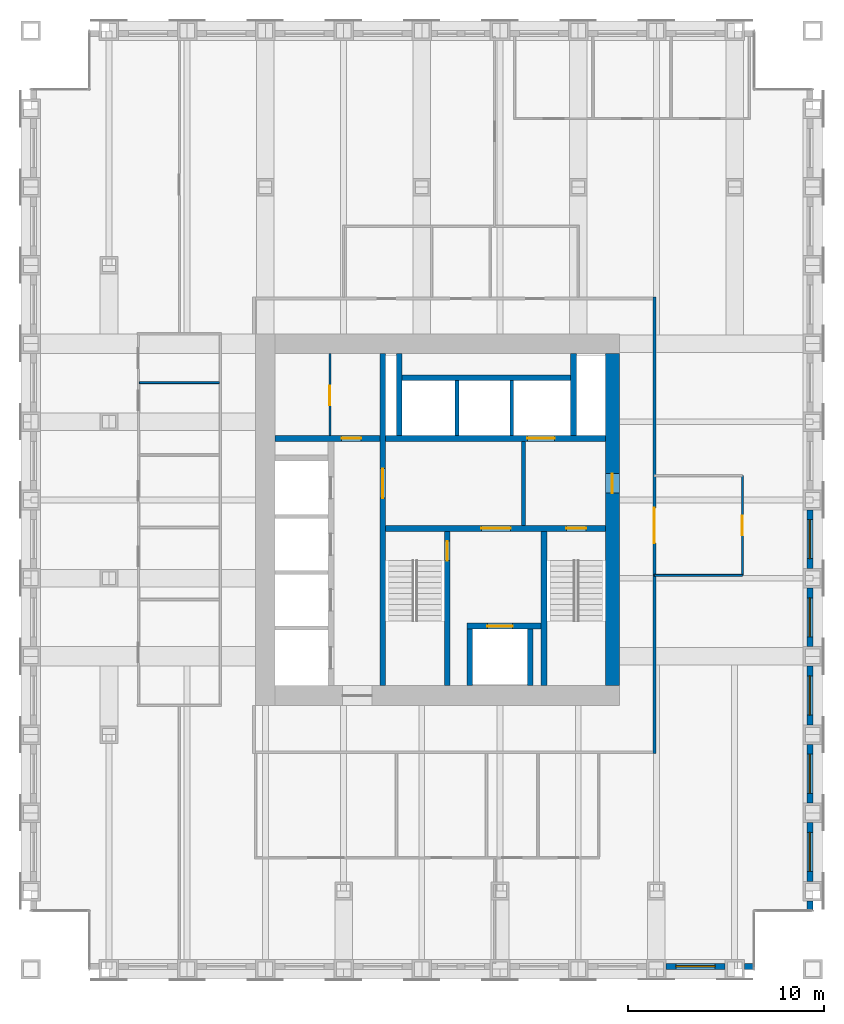
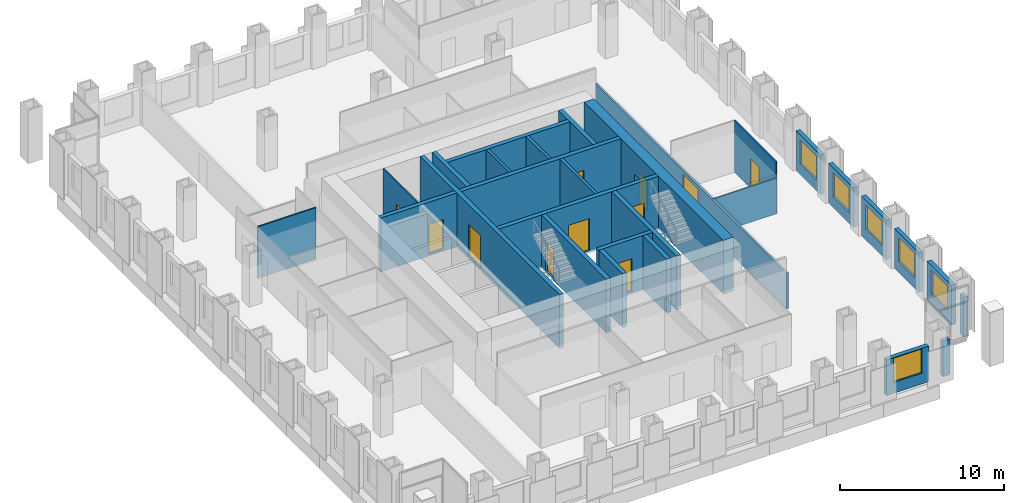
# One storey, part 9 of 12: 29 walls, 11 doors, 6 windows, 17 openings.
"""IFC4 building model written with IfcOpenShell, lengths in metres."""

from ifc_helpers import new_model, si_unit, direction, frame, frame_2d, origin, place, context, subcontext, project, spatial, rectangle, extrude, material, layer, layer_set, type_object, element, fill, save


model = new_model("IFC4")

# Units and contexts
model_context = context("Model", 3, precision=1e-05, world=origin(), true_north=direction((0.0, 1.0)))
body_context = subcontext(model_context, "Body", "Model", "MODEL_VIEW")
ifc_project = project(units=[si_unit("LENGTHUNIT", "METRE"), si_unit("AREAUNIT", "SQUARE_METRE"), si_unit("VOLUMEUNIT", "CUBIC_METRE"), si_unit("PLANEANGLEUNIT", "RADIAN"), si_unit("MASSUNIT", "GRAM", prefix="KILO")], contexts=[model_context])

# Site, building, storey
site_placement = place(None, origin())
site = spatial("IfcSite", under=ifc_project, at=site_placement, CompositionType="ELEMENT")
building_placement = place(site_placement, origin())
building = spatial("IfcBuilding", under=site, at=building_placement, Name="Rimbunsela Tower", CompositionType="ELEMENT")
storey_placement = place(building_placement, frame((0.0, 0.0, 167.800048828125)))
storey = spatial("IfcBuildingStorey", under=building, at=storey_placement, Name="L40", CompositionType="ELEMENT", Elevation=167.800048828125)

# Wall, opening, door
ifc_material_1 = material(Name="Concrete fc' 80 MPa", Category="concrete")
ifc_layer_1 = layer(ifc_material_1, 0.300048828125)
ifc_layer_set_1 = layer_set([ifc_layer_1], Name="Core internal wall 300")
wall_type_1 = type_object("IfcWallType", Name="Core internal wall 300", PredefinedType="SHEAR", material=ifc_layer_set_1)
wall_1_placement = place(storey_placement, frame((24.0, 18.5, -0.150146484375), z_axis=(0.0, 0.0, 1.0), x_axis=(0.0, 1.0, 0.0)))
wall_1 = element("IfcWall", 1, at=wall_1_placement, inside=storey, type_object=wall_type_1, Name="Core wall at stair A", PredefinedType="SHEAR", context=body_context, shape_type="SweptSolid", body=[
    extrude(rectangle(XDim=17.0, YDim=0.300048828125, at=frame_2d((8.5, 0.0))), origin(), (0.0, 0.0, 1.0), 4.0),
])
opening_1_placement = place(wall_1_placement, frame((9.60009765625, 0.0, 0.14990234375)))
opening_1 = element("IfcOpeningElement", 2, at=opening_1_placement, cuts=wall_1, Name="Opening D03", PredefinedType="OPENING", context=body_context, shape_type="SweptSolid", body=[
    extrude(rectangle(XDim=1.5, YDim=2.39990234375, at=frame_2d((0.75, 1.199951171875))), frame((0.0, 0.159912109375, 0.0), z_axis=(0.0, -1.0, 0.0), x_axis=(1.0, 0.0, 0.0)), (0.0, 0.0, 1.0), 0.320068359375),
])
ifc_material_2 = material(Name="Steel door, fire rated", Category="steel")
door_type_1 = type_object("IfcDoorType", Name="Core lobby door 1500", OperationType="DOUBLE_DOOR_DOUBLE_SWING", PredefinedType="DOOR", material=ifc_material_2)
door_1_placement = place(opening_1_placement, origin())
door_1 = element("IfcDoor", 3, at=door_1_placement, inside=storey, type_object=door_type_1, Name="West lobby door", OperationType="DOUBLE_DOOR_DOUBLE_SWING", OverallHeight=2.39990234375, OverallWidth=1.5, PredefinedType="DOOR", context=body_context, shape_type="SweptSolid", body=[
    extrude(rectangle(XDim=1.5, YDim=2.39990234375, at=frame_2d((0.75, 1.199951171875))), frame((0.0, 0.02490234375, 0.0), z_axis=(0.0, -1.0, 0.0), x_axis=(1.0, 0.0, 0.0)), (0.0, 0.0, 1.0), 0.050048828125),
])
fill(opening_1, door_1)

# Wall, openings, doors
wall_2_placement = place(storey_placement, frame((24.14990234375, 26.550048828125, -0.150146484375), z_axis=(0.0, 0.0, 1.0), x_axis=(1.0, 0.0, 0.0)))
wall_2 = element("IfcWall", 4, at=wall_2_placement, inside=storey, type_object=wall_type_1, Name="Core wall lobby south", PredefinedType="SHEAR", context=body_context, shape_type="SweptSolid", body=[
    extrude(rectangle(XDim=11.25, YDim=0.300048828125, at=frame_2d((5.625, 0.0))), origin(), (0.0, 0.0, 1.0), 4.0),
])
opening_2_placement = place(wall_2_placement, frame((9.25, 0.0, 0.14990234375)))
opening_2 = element("IfcOpeningElement", 5, at=opening_2_placement, cuts=wall_2, Name="Opening D01", PredefinedType="OPENING", context=body_context, shape_type="SweptSolid", body=[
    extrude(rectangle(XDim=1.0, YDim=2.199951171875, at=frame_2d((0.5, 1.10009765625))), frame((0.0, 0.159912109375, 0.0), z_axis=(0.0, -1.0, 0.0), x_axis=(1.0, 0.0, 0.0)), (0.0, 0.0, 1.0), 0.320068359375),
])
opening_3_placement = place(wall_2_placement, frame((4.89990234375, 0.0, 0.14990234375)))
opening_3 = element("IfcOpeningElement", 6, at=opening_3_placement, cuts=wall_2, Name="Opening D03", PredefinedType="OPENING", context=body_context, shape_type="SweptSolid", body=[
    extrude(rectangle(XDim=1.5, YDim=2.39990234375, at=frame_2d((0.75, 1.199951171875))), frame((0.0, 0.159912109375, 0.0), z_axis=(0.0, -1.0, 0.0), x_axis=(1.0, 0.0, 0.0)), (0.0, 0.0, 1.0), 0.320068359375),
])
door_2_placement = place(opening_3_placement, origin())
door_2 = element("IfcDoor", 7, at=door_2_placement, inside=storey, type_object=door_type_1, Name="Firefighting lobby door", OperationType="DOUBLE_DOOR_DOUBLE_SWING", OverallHeight=2.39990234375, OverallWidth=1.5, PredefinedType="DOOR", context=body_context, shape_type="SweptSolid", body=[
    extrude(rectangle(XDim=1.5, YDim=2.39990234375, at=frame_2d((0.75, 1.199951171875))), frame((0.0, 0.02490234375, 0.0), z_axis=(0.0, -1.0, 0.0), x_axis=(1.0, 0.0, 0.0)), (0.0, 0.0, 1.0), 0.050048828125),
])
fill(opening_3, door_2)
ifc_material_3 = material(Name="Steel door, fire rated", Category="steel")
door_type_2 = type_object("IfcDoorType", Name="Stair door 1000", OperationType="SINGLE_SWING_RIGHT", PredefinedType="DOOR", material=ifc_material_3)
door_3_placement = place(opening_2_placement, frame((1.0, 0.0, 0.0), z_axis=(0.0, 0.0, 1.0), x_axis=(-1.0, 0.0, 0.0)))
door_3 = element("IfcDoor", 8, at=door_3_placement, inside=storey, type_object=door_type_2, Name="Stair B door", OperationType="SINGLE_SWING_RIGHT", OverallHeight=2.199951171875, OverallWidth=1.0, PredefinedType="DOOR", context=body_context, shape_type="SweptSolid", body=[
    extrude(rectangle(XDim=1.0, YDim=2.199951171875, at=frame_2d((0.5, 1.10009765625))), frame((0.0, 0.02490234375, 0.0), z_axis=(0.0, -1.0, 0.0), x_axis=(1.0, 0.0, 0.0)), (0.0, 0.0, 1.0), 0.050048828125),
])
fill(opening_2, door_3)

# Wall, opening, door
wall_3_placement = place(storey_placement, frame((27.300048828125, 18.5, -0.150146484375), z_axis=(0.0, 0.0, 1.0), x_axis=(0.0, 1.0, 0.0)))
wall_3 = element("IfcWall", 9, at=wall_3_placement, inside=storey, type_object=wall_type_1, Name="Stair A enclosure", PredefinedType="SHEAR", context=body_context, shape_type="SweptSolid", body=[
    extrude(rectangle(XDim=7.89990234375, YDim=0.300048828125, at=frame_2d((3.949951171875, 0.0))), origin(), (0.0, 0.0, 1.0), 4.0),
])
opening_4_placement = place(wall_3_placement, frame((6.39990234375, 0.0, 0.14990234375)))
opening_4 = element("IfcOpeningElement", 10, at=opening_4_placement, cuts=wall_3, Name="Opening D01", PredefinedType="OPENING", context=body_context, shape_type="SweptSolid", body=[
    extrude(rectangle(XDim=1.0, YDim=2.199951171875, at=frame_2d((0.5, 1.10009765625))), frame((0.0, 0.159912109375, 0.0), z_axis=(0.0, -1.0, 0.0), x_axis=(1.0, 0.0, 0.0)), (0.0, 0.0, 1.0), 0.320068359375),
])
door_4_placement = place(opening_4_placement, origin())
door_4 = element("IfcDoor", 11, at=door_4_placement, inside=storey, type_object=door_type_2, Name="Stair A door", OperationType="SINGLE_SWING_RIGHT", OverallHeight=2.199951171875, OverallWidth=1.0, PredefinedType="DOOR", context=body_context, shape_type="SweptSolid", body=[
    extrude(rectangle(XDim=1.0, YDim=2.199951171875, at=frame_2d((0.5, 1.10009765625))), frame((0.0, 0.02490234375, 0.0), z_axis=(0.0, -1.0, 0.0), x_axis=(1.0, 0.0, 0.0)), (0.0, 0.0, 1.0), 0.050048828125),
])
fill(opening_4, door_4)

# Walls
wall_4_placement = place(storey_placement, frame((32.25, 18.5, -0.150146484375), z_axis=(0.0, 0.0, 1.0), x_axis=(0.0, 1.0, 0.0)))
element("IfcWall", 12, at=wall_4_placement, inside=storey, type_object=wall_type_1, Name="Stair B enclosure", PredefinedType="SHEAR", context=body_context, shape_type="SweptSolid", body=[
    extrude(rectangle(XDim=7.89990234375, YDim=0.300048828125, at=frame_2d((3.949951171875, 0.0))), origin(), (0.0, 0.0, 1.0), 4.0),
])
for number, where, z_axis, x_axis, name in (
    (13, (28.449951171875, 18.5, -0.150146484375), (0.0, 0.0, 1.0), (0.0, 1.0, 0.0), "Firefighting lift shaft west"),
    (14, (31.550048828125, 18.5, -0.150146484375), (0.0, 0.0, 1.0), (0.0, 1.0, 0.0), "Firefighting lift shaft east"),
):
    element("IfcWall", number, at=place(storey_placement, frame(where, z_axis=z_axis, x_axis=x_axis)), inside=storey, type_object=wall_type_1, Name=name, PredefinedType="SHEAR", context=body_context, shape_type="SweptSolid", body=[
        extrude(rectangle(XDim=2.89990234375, YDim=0.300048828125, at=frame_2d((1.449951171875, 0.0))), origin(), (0.0, 0.0, 1.0), 4.0),
    ])

# Wall, opening, door
wall_5_placement = place(storey_placement, frame((28.300048828125, 21.550048828125, -0.150146484375), z_axis=(0.0, 0.0, 1.0), x_axis=(1.0, 0.0, 0.0)))
wall_5 = element("IfcWall", 15, at=wall_5_placement, inside=storey, type_object=wall_type_1, Name="Firefighting lift shaft front", PredefinedType="SHEAR", context=body_context, shape_type="SweptSolid", body=[
    extrude(rectangle(XDim=3.800048828125, YDim=0.300048828125, at=frame_2d((1.89990234375, 0.0))), origin(), (0.0, 0.0, 1.0), 4.0),
])
opening_5_placement = place(wall_5_placement, frame((1.050048828125, 0.0, 0.14990234375)))
opening_5 = element("IfcOpeningElement", 16, at=opening_5_placement, cuts=wall_5, Name="Opening LD2", PredefinedType="OPENING", context=body_context, shape_type="SweptSolid", body=[
    extrude(rectangle(XDim=1.300048828125, YDim=2.39990234375, at=frame_2d((0.64990234375, 1.199951171875))), frame((0.0, 0.159912109375, 0.0), z_axis=(0.0, -1.0, 0.0), x_axis=(1.0, 0.0, 0.0)), (0.0, 0.0, 1.0), 0.320068359375),
])
ifc_material_4 = material(Name="Steel door, fire rated", Category="steel")
door_type_3 = type_object("IfcDoorType", Name="Lift landing door 1300", OperationType="DOUBLE_DOOR_SLIDING", PredefinedType="DOOR", material=ifc_material_4)
door_5_placement = place(opening_5_placement, origin())
door_5 = element("IfcDoor", 17, at=door_5_placement, inside=storey, type_object=door_type_3, Name="Lift landing door FL1", OperationType="DOUBLE_DOOR_SLIDING", OverallHeight=2.39990234375, OverallWidth=1.300048828125, PredefinedType="DOOR", context=body_context, shape_type="SweptSolid", body=[
    extrude(rectangle(XDim=1.300048828125, YDim=2.39990234375, at=frame_2d((0.64990234375, 1.199951171875))), frame((0.0, 0.02490234375, 0.0), z_axis=(0.0, -1.0, 0.0), x_axis=(1.0, 0.0, 0.0)), (0.0, 0.0, 1.0), 0.050048828125),
])
fill(opening_5, door_5)

wall_6_placement = place(storey_placement, frame((24.14990234375, 31.14990234375, -0.150146484375), z_axis=(0.0, 0.0, 1.0), x_axis=(1.0, 0.0, 0.0)))
wall_6 = element("IfcWall", 18, at=wall_6_placement, inside=storey, type_object=wall_type_1, Name="Lift shaft front north", PredefinedType="SHEAR", context=body_context, shape_type="SweptSolid", body=[
    extrude(rectangle(XDim=11.25, YDim=0.300048828125, at=frame_2d((5.625, 0.0))), origin(), (0.0, 0.0, 1.0), 4.0),
])
opening_6_placement = place(wall_6_placement, frame((7.25, 0.0, 0.14990234375)))
opening_6 = element("IfcOpeningElement", 19, at=opening_6_placement, cuts=wall_6, Name="Opening LD3", PredefinedType="OPENING", context=body_context, shape_type="SweptSolid", body=[
    extrude(rectangle(XDim=1.39990234375, YDim=2.39990234375, at=frame_2d((0.699951171875, 1.199951171875))), frame((0.0, 0.159912109375, 0.0), z_axis=(0.0, -1.0, 0.0), x_axis=(1.0, 0.0, 0.0)), (0.0, 0.0, 1.0), 0.320068359375),
])
ifc_material_5 = material(Name="Steel door, fire rated", Category="steel")
door_type_4 = type_object("IfcDoorType", Name="Lift landing door 1400", OperationType="DOUBLE_DOOR_SLIDING", PredefinedType="DOOR", material=ifc_material_5)
door_6_placement = place(opening_6_placement, origin())
door_6 = element("IfcDoor", 20, at=door_6_placement, inside=storey, type_object=door_type_4, Name="Lift landing door FL2", OperationType="DOUBLE_DOOR_SLIDING", OverallHeight=2.39990234375, OverallWidth=1.39990234375, PredefinedType="DOOR", context=body_context, shape_type="SweptSolid", body=[
    extrude(rectangle(XDim=1.39990234375, YDim=2.39990234375, at=frame_2d((0.699951171875, 1.199951171875))), frame((0.0, 0.02490234375, 0.0), z_axis=(0.0, -1.0, 0.0), x_axis=(1.0, 0.0, 0.0)), (0.0, 0.0, 1.0), 0.050048828125),
])
fill(opening_6, door_6)

wall_7_placement = place(storey_placement, frame((18.5, 31.14990234375, -0.150146484375), z_axis=(0.0, 0.0, 1.0), x_axis=(1.0, 0.0, 0.0)))
wall_7 = element("IfcWall", 21, at=wall_7_placement, inside=storey, type_object=wall_type_1, Name="Store wall", PredefinedType="SHEAR", context=body_context, shape_type="SweptSolid", body=[
    extrude(rectangle(XDim=5.35009765625, YDim=0.300048828125, at=frame_2d((2.675048828125, 0.0))), origin(), (0.0, 0.0, 1.0), 4.0),
])
opening_7_placement = place(wall_7_placement, frame((3.39990234375, 0.0, 0.14990234375)))
opening_7 = element("IfcOpeningElement", 22, at=opening_7_placement, cuts=wall_7, Name="Opening D19", PredefinedType="OPENING", context=body_context, shape_type="SweptSolid", body=[
    extrude(rectangle(XDim=1.0, YDim=2.199951171875, at=frame_2d((0.5, 1.10009765625))), frame((0.0, 0.159912109375, 0.0), z_axis=(0.0, -1.0, 0.0), x_axis=(1.0, 0.0, 0.0)), (0.0, 0.0, 1.0), 0.320068359375),
])
ifc_material_6 = material(Name="Steel door, fire rated", Category="steel")
door_type_5 = type_object("IfcDoorType", Name="Service door 1000 fire rated", OperationType="SINGLE_SWING_LEFT", PredefinedType="DOOR", material=ifc_material_6)
door_7_placement = place(opening_7_placement, origin())
door_7 = element("IfcDoor", 23, at=door_7_placement, inside=storey, type_object=door_type_5, Name="Cleaners store door", OperationType="SINGLE_SWING_LEFT", OverallHeight=2.199951171875, OverallWidth=1.0, PredefinedType="DOOR", context=body_context, shape_type="SweptSolid", body=[
    extrude(rectangle(XDim=1.0, YDim=2.199951171875, at=frame_2d((0.5, 1.10009765625))), frame((0.0, 0.02490234375, 0.0), z_axis=(0.0, -1.0, 0.0), x_axis=(1.0, 0.0, 0.0)), (0.0, 0.0, 1.0), 0.050048828125),
])
fill(opening_7, door_7)

# Walls
for number, where, z_axis, x_axis, name in (
    (24, (24.85009765625, 31.300048828125, -0.150146484375), (0.0, 0.0, 1.0), (0.0, 1.0, 0.0), "Riser wall"),
    (25, (33.75, 31.300048828125, -0.150146484375), (0.0, 0.0, 1.0), (0.0, 1.0, 0.0), "Riser wall"),
):
    element("IfcWall", number, at=place(storey_placement, frame(where, z_axis=z_axis, x_axis=x_axis)), inside=storey, type_object=wall_type_1, Name=name, PredefinedType="SHEAR", context=body_context, shape_type="SweptSolid", body=[
        extrude(rectangle(XDim=4.199951171875, YDim=0.300048828125, at=frame_2d((2.10009765625, 0.0))), origin(), (0.0, 0.0, 1.0), 4.0),
    ])
wall_8_placement = place(storey_placement, frame((25.0, 34.25, -0.150146484375), z_axis=(0.0, 0.0, 1.0), x_axis=(1.0, 0.0, 0.0)))
element("IfcWall", 26, at=wall_8_placement, inside=storey, type_object=wall_type_1, Name="Lift shaft rear north", PredefinedType="SHEAR", context=body_context, shape_type="SweptSolid", body=[
    extrude(rectangle(XDim=8.60009765625, YDim=0.300048828125, at=frame_2d((4.300048828125, 0.0))), origin(), (0.0, 0.0, 1.0), 4.0),
])

# Wall, opening, door
ifc_material_7 = material(Name="Concrete blockwork", Category="masonry")
ifc_layer_2 = layer(ifc_material_7, 0.10009765625)
ifc_layer_set_2 = layer_set([ifc_layer_2], Name="Core room partition 100")
wall_type_2 = type_object("IfcWallType", Name="Core room partition 100", PredefinedType="PARTITIONING", material=ifc_layer_set_2)
wall_9_placement = place(storey_placement, frame((21.300048828125, 31.300048828125, 0.0), z_axis=(0.0, 0.0, 1.0), x_axis=(0.0, 1.0, 0.0)))
wall_9 = element("IfcWall", 27, at=wall_9_placement, inside=storey, type_object=wall_type_2, Name="Housekeeping store wall", PredefinedType="PARTITIONING", context=body_context, shape_type="SweptSolid", body=[
    extrude(rectangle(XDim=4.199951171875, YDim=0.10009765625, at=frame_2d((2.10009765625, 0.0))), origin(), (0.0, 0.0, 1.0), 3.849853515625),
])
opening_8_placement = place(wall_9_placement, frame((1.550048828125, 0.0, 0.0)))
opening_8 = element("IfcOpeningElement", 28, at=opening_8_placement, cuts=wall_9, Name="Opening D19", PredefinedType="OPENING", context=body_context, shape_type="SweptSolid", body=[
    extrude(rectangle(XDim=1.0, YDim=2.199951171875, at=frame_2d((0.5, 1.10009765625))), frame((0.0, 0.06005859375, 0.0), z_axis=(0.0, -1.0, 0.0), x_axis=(1.0, 0.0, 0.0)), (0.0, 0.0, 1.0), 0.1201171875),
])
door_8_placement = place(opening_8_placement, origin())
door_8 = element("IfcDoor", 29, at=door_8_placement, inside=storey, type_object=door_type_5, Name="Housekeeping store door", OperationType="SINGLE_SWING_LEFT", OverallHeight=2.199951171875, OverallWidth=1.0, PredefinedType="DOOR", context=body_context, shape_type="SweptSolid", body=[
    extrude(rectangle(XDim=1.0, YDim=2.199951171875, at=frame_2d((0.5, 1.10009765625))), frame((0.0, 0.02490234375, 0.0), z_axis=(0.0, -1.0, 0.0), x_axis=(1.0, 0.0, 0.0)), (0.0, 0.0, 1.0), 0.050048828125),
])
fill(opening_8, door_8)

ifc_material_8 = material(Name="Concrete fc' 80 MPa", Category="concrete")
ifc_layer_3 = layer(ifc_material_8, 0.699951171875)
ifc_layer_set_3 = layer_set([ifc_layer_3], Name="Core wall 700 east")
wall_type_3 = type_object("IfcWallType", Name="Core wall 700 east", PredefinedType="SHEAR", material=ifc_layer_set_3)
wall_10_placement = place(storey_placement, frame((35.75, 18.5, -0.150146484375), z_axis=(0.0, 0.0, 1.0), x_axis=(0.0, 1.0, 0.0)))
wall_10 = element("IfcWall", 30, at=wall_10_placement, inside=storey, type_object=wall_type_3, Name="Core wall east", PredefinedType="SHEAR", context=body_context, shape_type="SweptSolid", body=[
    extrude(rectangle(XDim=17.0, YDim=0.699951171875, at=frame_2d((8.5, 0.0))), origin(), (0.0, 0.0, 1.0), 4.0),
])
opening_9_placement = place(wall_10_placement, frame((9.85009765625, 0.0, 0.14990234375)))
opening_9 = element("IfcOpeningElement", 31, at=opening_9_placement, cuts=wall_10, Name="Opening D01", PredefinedType="OPENING", context=body_context, shape_type="SweptSolid", body=[
    extrude(rectangle(XDim=1.0, YDim=2.199951171875, at=frame_2d((0.5, 1.10009765625))), frame((0.0, 0.35986328125, 0.0), z_axis=(0.0, -1.0, 0.0), x_axis=(1.0, 0.0, 0.0)), (0.0, 0.0, 1.0), 0.719970703125),
])
door_9_placement = place(opening_9_placement, origin())
door_9 = element("IfcDoor", 32, at=door_9_placement, inside=storey, type_object=door_type_2, Name="Firefighting lobby 2 door", OperationType="SINGLE_SWING_RIGHT", OverallHeight=2.199951171875, OverallWidth=1.0, PredefinedType="DOOR", context=body_context, shape_type="SweptSolid", body=[
    extrude(rectangle(XDim=1.0, YDim=2.199951171875, at=frame_2d((0.5, 1.10009765625))), frame((0.0, 0.02490234375, 0.0), z_axis=(0.0, -1.0, 0.0), x_axis=(1.0, 0.0, 0.0)), (0.0, 0.0, 1.0), 0.050048828125),
])
fill(opening_9, door_9)

# Walls
ifc_material_9 = material(Name="Concrete blockwork", Category="masonry")
ifc_layer_4 = layer(ifc_material_9, 0.199951171875)
ifc_layer_set_4 = layer_set([ifc_layer_4], Name="Lift shaft wall 200")
wall_type_4 = type_object("IfcWallType", Name="Lift shaft wall 200", PredefinedType="SOLIDWALL", material=ifc_layer_set_4)
for number, where, z_axis, x_axis, name in (
    (33, (27.800048828125, 31.300048828125, -0.150146484375), (0.0, 0.0, 1.0), (0.0, 1.0, 0.0), "Lift shaft separation"),
    (34, (30.60009765625, 31.300048828125, -0.150146484375), (0.0, 0.0, 1.0), (0.0, 1.0, 0.0), "Lift shaft separation"),
):
    element("IfcWall", number, at=place(storey_placement, frame(where, z_axis=z_axis, x_axis=x_axis)), inside=storey, type_object=wall_type_4, Name=name, PredefinedType="SOLIDWALL", context=body_context, shape_type="SweptSolid", body=[
        extrude(rectangle(XDim=2.800048828125, YDim=0.199951171875, at=frame_2d((1.39990234375, 0.0))), origin(), (0.0, 0.0, 1.0), 4.0),
    ])
wall_11_placement = place(storey_placement, frame((31.199951171875, 26.699951171875, 0.0), z_axis=(0.0, 0.0, 1.0), x_axis=(0.0, 1.0, 0.0)))
element("IfcWall", 35, at=wall_11_placement, inside=storey, type_object=wall_type_4, Name="Firefighting lobby 2 wall", PredefinedType="SOLIDWALL", context=body_context, shape_type="SweptSolid", body=[
    extrude(rectangle(XDim=4.300048828125, YDim=0.199951171875, at=frame_2d((2.14990234375, 0.0))), origin(), (0.0, 0.0, 1.0), 3.849853515625),
])
ifc_material_10 = material(Name="Gypsum board on steel studs", Category="steel")
ifc_layer_5 = layer(ifc_material_10, 0.10009765625)
ifc_layer_set_5 = layer_set([ifc_layer_5], Name="Office partition 100")
wall_type_5 = type_object("IfcWallType", Name="Office partition 100", PredefinedType="PARTITIONING", material=ifc_layer_set_5)
wall_12_placement = place(storey_placement, frame((11.550048828125, 34.0, 0.0), z_axis=(0.0, 0.0, 1.0), x_axis=(1.0, 0.0, 0.0)))
element("IfcWall", 36, at=wall_12_placement, inside=storey, type_object=wall_type_5, Name="Office partition", PredefinedType="PARTITIONING", context=body_context, shape_type="SweptSolid", body=[
    extrude(rectangle(XDim=4.099853515625, YDim=0.10009765625, at=frame_2d((2.0498046875, 0.0))), origin(), (0.0, 0.0, 1.0), 3.849853515625),
])
wall_13_placement = place(storey_placement, frame((37.89990234375, 24.14990234375, 0.0), z_axis=(0.0, 0.0, 1.0), x_axis=(1.0, 0.0, 0.0)))
element("IfcWall", 37, at=wall_13_placement, inside=storey, type_object=wall_type_5, Name="Office partition", PredefinedType="PARTITIONING", context=body_context, shape_type="SweptSolid", body=[
    extrude(rectangle(XDim=4.5, YDim=0.10009765625, at=frame_2d((2.25, 0.0))), origin(), (0.0, 0.0, 1.0), 2.64990234375),
])

# Wall, opening, door
wall_14_placement = place(storey_placement, frame((42.39990234375, 24.14990234375, 0.0), z_axis=(0.0, 0.0, 1.0), x_axis=(0.0, 1.0, 0.0)))
wall_14 = element("IfcWall", 38, at=wall_14_placement, inside=storey, type_object=wall_type_5, Name="Office partition", PredefinedType="PARTITIONING", context=body_context, shape_type="SweptSolid", body=[
    extrude(rectangle(XDim=5.10009765625, YDim=0.10009765625, at=frame_2d((2.550048828125, 0.0))), origin(), (0.0, 0.0, 1.0), 3.849853515625),
])
opening_10_placement = place(wall_14_placement, frame((2.050048828125, 0.0, 0.0)))
opening_10 = element("IfcOpeningElement", 39, at=opening_10_placement, cuts=wall_14, Name="Opening D17", PredefinedType="OPENING", context=body_context, shape_type="SweptSolid", body=[
    extrude(rectangle(XDim=1.0, YDim=2.199951171875, at=frame_2d((0.5, 1.10009765625))), frame((0.0, 0.06005859375, 0.0), z_axis=(0.0, -1.0, 0.0), x_axis=(1.0, 0.0, 0.0)), (0.0, 0.0, 1.0), 0.1201171875),
])
ifc_material_11 = material(Name="Glazed aluminium door", Category="aluminium")
door_type_6 = type_object("IfcDoorType", Name="Meeting room door 1000 glazed", OperationType="SINGLE_SWING_RIGHT", PredefinedType="DOOR", material=ifc_material_11)
door_10_placement = place(opening_10_placement, origin())
door_10 = element("IfcDoor", 40, at=door_10_placement, inside=storey, type_object=door_type_6, Name="Reception door", OperationType="SINGLE_SWING_RIGHT", OverallHeight=2.199951171875, OverallWidth=1.0, PredefinedType="DOOR", context=body_context, shape_type="SweptSolid", body=[
    extrude(rectangle(XDim=1.0, YDim=2.199951171875, at=frame_2d((0.5, 1.10009765625))), frame((0.0, 0.02490234375, 0.0), z_axis=(0.0, -1.0, 0.0), x_axis=(1.0, 0.0, 0.0)), (0.0, 0.0, 1.0), 0.050048828125),
])
fill(opening_10, door_10)

# Wall, opening, window
ifc_material_12 = material(Name="Precast concrete fc' 35 MPa", Category="concrete")
ifc_layer_6 = layer(ifc_material_12, 0.300048828125)
ifc_layer_set_6 = layer_set([ifc_layer_6], Name="Precast concrete fc' 35 MPa")
wall_type_6 = type_object("IfcWallType", Name="Precast facade panel 300", PredefinedType="ELEMENTEDWALL", material=ifc_layer_set_6)
wall_15_placement = place(storey_placement, frame((38.5, 4.14990234375, 0.0), z_axis=(0.0, 0.0, 1.0), x_axis=(1.0, 0.0, 0.0)))
wall_15 = element("IfcWall", 41, at=wall_15_placement, inside=storey, type_object=wall_type_6, Name="Facade panel S L40", PredefinedType="ELEMENTEDWALL", context=body_context, shape_type="SweptSolid", body=[
    extrude(rectangle(XDim=3.0, YDim=0.300048828125, at=frame_2d((1.5, 0.0))), origin(), (0.0, 0.0, 1.0), 2.64990234375),
])
opening_11_placement = place(wall_15_placement, frame((0.5, 0.0, 0.800048828125)))
opening_11 = element("IfcOpeningElement", 42, at=opening_11_placement, cuts=wall_15, Name="Opening W7", PredefinedType="OPENING", context=body_context, shape_type="SweptSolid", body=[
    extrude(rectangle(XDim=2.0, YDim=1.800048828125, at=frame_2d((1.0, 0.89990234375))), frame((0.0, 0.159912109375, 0.0), z_axis=(0.0, -1.0, 0.0), x_axis=(1.0, 0.0, 0.0)), (0.0, 0.0, 1.0), 0.320068359375),
])
ifc_material_13 = material(Name="Clear glass in aluminium frame", Category="aluminium")
window_type = type_object("IfcWindowType", Name="Window W7 2000x1800", PartitioningType="DOUBLE_PANEL_VERTICAL", PredefinedType="WINDOW", material=ifc_material_13)
window_1_placement = place(opening_11_placement, origin())
window_1 = element("IfcWindow", 43, at=window_1_placement, inside=storey, type_object=window_type, Name="Window L40", OverallHeight=1.800048828125, OverallWidth=2.0, PartitioningType="SINGLE_PANEL", PredefinedType="WINDOW", context=body_context, shape_type="SweptSolid", body=[
    extrude(rectangle(XDim=2.0, YDim=1.800048828125, at=frame_2d((1.0, 0.89990234375))), frame((0.0, 0.030029296875, 0.0), z_axis=(0.0, -1.0, 0.0), x_axis=(1.0, 0.0, 0.0)), (0.0, 0.0, 1.0), 0.06005859375),
])
fill(opening_11, window_1)

# Walls
wall_16_placement = place(storey_placement, frame((42.5, 4.14990234375, 0.0), z_axis=(0.0, 0.0, 1.0), x_axis=(1.0, 0.0, 0.0)))
element("IfcWall", 44, at=wall_16_placement, inside=storey, type_object=wall_type_6, Name="Facade panel S L40", PredefinedType="ELEMENTEDWALL", context=body_context, shape_type="SweptSolid", body=[
    extrude(rectangle(XDim=0.469970703125, YDim=0.300048828125, at=frame_2d((0.23486328125, 0.0))), origin(), (0.0, 0.0, 1.0), 2.64990234375),
])
wall_17_placement = place(storey_placement, frame((45.85009765625, 7.030029296875, 0.0), z_axis=(0.0, 0.0, 1.0), x_axis=(0.0, 1.0, 0.0)))
element("IfcWall", 45, at=wall_17_placement, inside=storey, type_object=wall_type_6, Name="Facade panel E L40", PredefinedType="ELEMENTEDWALL", context=body_context, shape_type="SweptSolid", body=[
    extrude(rectangle(XDim=0.469970703125, YDim=0.300048828125, at=frame_2d((0.23486328125, 0.0))), origin(), (0.0, 0.0, 1.0), 2.949951171875),
])

# Wall, opening, window
wall_18_placement = place(storey_placement, frame((45.85009765625, 8.5, 0.0), z_axis=(0.0, 0.0, 1.0), x_axis=(0.0, 1.0, 0.0)))
wall_18 = element("IfcWall", 46, at=wall_18_placement, inside=storey, type_object=wall_type_6, Name="Facade panel E L40", PredefinedType="ELEMENTEDWALL", context=body_context, shape_type="SweptSolid", body=[
    extrude(rectangle(XDim=3.0, YDim=0.300048828125, at=frame_2d((1.5, 0.0))), origin(), (0.0, 0.0, 1.0), 2.949951171875),
])
opening_12_placement = place(wall_18_placement, frame((0.5, 0.0, 0.800048828125)))
opening_12 = element("IfcOpeningElement", 47, at=opening_12_placement, cuts=wall_18, Name="Opening W7", PredefinedType="OPENING", context=body_context, shape_type="SweptSolid", body=[
    extrude(rectangle(XDim=2.0, YDim=1.800048828125, at=frame_2d((1.0, 0.89990234375))), frame((0.0, 0.159912109375, 0.0), z_axis=(0.0, -1.0, 0.0), x_axis=(1.0, 0.0, 0.0)), (0.0, 0.0, 1.0), 0.320068359375),
])
window_2_placement = place(opening_12_placement, origin())
window_2 = element("IfcWindow", 48, at=window_2_placement, inside=storey, type_object=window_type, Name="Window L40", OverallHeight=1.800048828125, OverallWidth=2.0, PartitioningType="SINGLE_PANEL", PredefinedType="WINDOW", context=body_context, shape_type="SweptSolid", body=[
    extrude(rectangle(XDim=2.0, YDim=1.800048828125, at=frame_2d((1.0, 0.89990234375))), frame((0.0, 0.030029296875, 0.0), z_axis=(0.0, -1.0, 0.0), x_axis=(1.0, 0.0, 0.0)), (0.0, 0.0, 1.0), 0.06005859375),
])
fill(opening_12, window_2)

wall_19_placement = place(storey_placement, frame((45.85009765625, 12.5, 0.0), z_axis=(0.0, 0.0, 1.0), x_axis=(0.0, 1.0, 0.0)))
wall_19 = element("IfcWall", 49, at=wall_19_placement, inside=storey, type_object=wall_type_6, Name="Facade panel E L40", PredefinedType="ELEMENTEDWALL", context=body_context, shape_type="SweptSolid", body=[
    extrude(rectangle(XDim=3.0, YDim=0.300048828125, at=frame_2d((1.5, 0.0))), origin(), (0.0, 0.0, 1.0), 2.949951171875),
])
opening_13_placement = place(wall_19_placement, frame((0.5, 0.0, 0.800048828125)))
opening_13 = element("IfcOpeningElement", 50, at=opening_13_placement, cuts=wall_19, Name="Opening W7", PredefinedType="OPENING", context=body_context, shape_type="SweptSolid", body=[
    extrude(rectangle(XDim=2.0, YDim=1.800048828125, at=frame_2d((1.0, 0.89990234375))), frame((0.0, 0.159912109375, 0.0), z_axis=(0.0, -1.0, 0.0), x_axis=(1.0, 0.0, 0.0)), (0.0, 0.0, 1.0), 0.320068359375),
])
window_3_placement = place(opening_13_placement, origin())
window_3 = element("IfcWindow", 51, at=window_3_placement, inside=storey, type_object=window_type, Name="Window L40", OverallHeight=1.800048828125, OverallWidth=2.0, PartitioningType="SINGLE_PANEL", PredefinedType="WINDOW", context=body_context, shape_type="SweptSolid", body=[
    extrude(rectangle(XDim=2.0, YDim=1.800048828125, at=frame_2d((1.0, 0.89990234375))), frame((0.0, 0.030029296875, 0.0), z_axis=(0.0, -1.0, 0.0), x_axis=(1.0, 0.0, 0.0)), (0.0, 0.0, 1.0), 0.06005859375),
])
fill(opening_13, window_3)

wall_20_placement = place(storey_placement, frame((45.85009765625, 16.5, 0.0), z_axis=(0.0, 0.0, 1.0), x_axis=(0.0, 1.0, 0.0)))
wall_20 = element("IfcWall", 52, at=wall_20_placement, inside=storey, type_object=wall_type_6, Name="Facade panel E L40", PredefinedType="ELEMENTEDWALL", context=body_context, shape_type="SweptSolid", body=[
    extrude(rectangle(XDim=3.0, YDim=0.300048828125, at=frame_2d((1.5, 0.0))), origin(), (0.0, 0.0, 1.0), 2.949951171875),
])
opening_14_placement = place(wall_20_placement, frame((0.5, 0.0, 0.800048828125)))
opening_14 = element("IfcOpeningElement", 53, at=opening_14_placement, cuts=wall_20, Name="Opening W7", PredefinedType="OPENING", context=body_context, shape_type="SweptSolid", body=[
    extrude(rectangle(XDim=2.0, YDim=1.800048828125, at=frame_2d((1.0, 0.89990234375))), frame((0.0, 0.159912109375, 0.0), z_axis=(0.0, -1.0, 0.0), x_axis=(1.0, 0.0, 0.0)), (0.0, 0.0, 1.0), 0.320068359375),
])
window_4_placement = place(opening_14_placement, origin())
window_4 = element("IfcWindow", 54, at=window_4_placement, inside=storey, type_object=window_type, Name="Window L40", OverallHeight=1.800048828125, OverallWidth=2.0, PartitioningType="SINGLE_PANEL", PredefinedType="WINDOW", context=body_context, shape_type="SweptSolid", body=[
    extrude(rectangle(XDim=2.0, YDim=1.800048828125, at=frame_2d((1.0, 0.89990234375))), frame((0.0, 0.030029296875, 0.0), z_axis=(0.0, -1.0, 0.0), x_axis=(1.0, 0.0, 0.0)), (0.0, 0.0, 1.0), 0.06005859375),
])
fill(opening_14, window_4)

wall_21_placement = place(storey_placement, frame((45.85009765625, 20.5, 0.0), z_axis=(0.0, 0.0, 1.0), x_axis=(0.0, 1.0, 0.0)))
wall_21 = element("IfcWall", 55, at=wall_21_placement, inside=storey, type_object=wall_type_6, Name="Facade panel E L40", PredefinedType="ELEMENTEDWALL", context=body_context, shape_type="SweptSolid", body=[
    extrude(rectangle(XDim=3.0, YDim=0.300048828125, at=frame_2d((1.5, 0.0))), origin(), (0.0, 0.0, 1.0), 2.949951171875),
])
opening_15_placement = place(wall_21_placement, frame((0.5, 0.0, 0.800048828125)))
opening_15 = element("IfcOpeningElement", 56, at=opening_15_placement, cuts=wall_21, Name="Opening W7", PredefinedType="OPENING", context=body_context, shape_type="SweptSolid", body=[
    extrude(rectangle(XDim=2.0, YDim=1.800048828125, at=frame_2d((1.0, 0.89990234375))), frame((0.0, 0.159912109375, 0.0), z_axis=(0.0, -1.0, 0.0), x_axis=(1.0, 0.0, 0.0)), (0.0, 0.0, 1.0), 0.320068359375),
])
window_5_placement = place(opening_15_placement, origin())
window_5 = element("IfcWindow", 57, at=window_5_placement, inside=storey, type_object=window_type, Name="Window L40", OverallHeight=1.800048828125, OverallWidth=2.0, PartitioningType="SINGLE_PANEL", PredefinedType="WINDOW", context=body_context, shape_type="SweptSolid", body=[
    extrude(rectangle(XDim=2.0, YDim=1.800048828125, at=frame_2d((1.0, 0.89990234375))), frame((0.0, 0.030029296875, 0.0), z_axis=(0.0, -1.0, 0.0), x_axis=(1.0, 0.0, 0.0)), (0.0, 0.0, 1.0), 0.06005859375),
])
fill(opening_15, window_5)

wall_22_placement = place(storey_placement, frame((45.85009765625, 24.5, 0.0), z_axis=(0.0, 0.0, 1.0), x_axis=(0.0, 1.0, 0.0)))
wall_22 = element("IfcWall", 58, at=wall_22_placement, inside=storey, type_object=wall_type_6, Name="Facade panel E L40", PredefinedType="ELEMENTEDWALL", context=body_context, shape_type="SweptSolid", body=[
    extrude(rectangle(XDim=3.0, YDim=0.300048828125, at=frame_2d((1.5, 0.0))), origin(), (0.0, 0.0, 1.0), 2.949951171875),
])
opening_16_placement = place(wall_22_placement, frame((0.5, 0.0, 0.800048828125)))
opening_16 = element("IfcOpeningElement", 59, at=opening_16_placement, cuts=wall_22, Name="Opening W7", PredefinedType="OPENING", context=body_context, shape_type="SweptSolid", body=[
    extrude(rectangle(XDim=2.0, YDim=1.800048828125, at=frame_2d((1.0, 0.89990234375))), frame((0.0, 0.159912109375, 0.0), z_axis=(0.0, -1.0, 0.0), x_axis=(1.0, 0.0, 0.0)), (0.0, 0.0, 1.0), 0.320068359375),
])
window_6_placement = place(opening_16_placement, origin())
window_6 = element("IfcWindow", 60, at=window_6_placement, inside=storey, type_object=window_type, Name="Window L40", OverallHeight=1.800048828125, OverallWidth=2.0, PartitioningType="SINGLE_PANEL", PredefinedType="WINDOW", context=body_context, shape_type="SweptSolid", body=[
    extrude(rectangle(XDim=2.0, YDim=1.800048828125, at=frame_2d((1.0, 0.89990234375))), frame((0.0, 0.030029296875, 0.0), z_axis=(0.0, -1.0, 0.0), x_axis=(1.0, 0.0, 0.0)), (0.0, 0.0, 1.0), 0.06005859375),
])
fill(opening_16, window_6)

# Wall, opening, door
ifc_material_14 = material(Name="Fire-rated gypsum board on steel studs, EI 60", Category="steel")
ifc_layer_7 = layer(ifc_material_14, 0.14990234375)
ifc_layer_set_7 = layer_set([ifc_layer_7], Name="Rated corridor wall 150")
wall_type_7 = type_object("IfcWallType", Name="Rated corridor wall 150", PredefinedType="PARTITIONING", material=ifc_layer_set_7)
wall_23_placement = place(storey_placement, frame((37.89990234375, 15.02490234375, 0.0), z_axis=(0.0, 0.0, 1.0), x_axis=(0.0, 1.0, 0.0)))
wall_23 = element("IfcWall", 61, at=wall_23_placement, inside=storey, type_object=wall_type_7, Name="Corridor wall east", PredefinedType="PARTITIONING", context=body_context, shape_type="SweptSolid", body=[
    extrude(rectangle(XDim=23.35009765625, YDim=0.14990234375, at=frame_2d((11.675048828125, 0.0))), origin(), (0.0, 0.0, 1.0), 2.64990234375),
])
opening_17_placement = place(wall_23_placement, frame((10.77490234375, 0.0, 0.0)))
opening_17 = element("IfcOpeningElement", 62, at=opening_17_placement, cuts=wall_23, Name="Opening D09", PredefinedType="OPENING", context=body_context, shape_type="SweptSolid", body=[
    extrude(rectangle(XDim=1.800048828125, YDim=2.39990234375, at=frame_2d((0.89990234375, 1.199951171875))), frame((0.0, 0.0849609375, 0.0), z_axis=(0.0, -1.0, 0.0), x_axis=(1.0, 0.0, 0.0)), (0.0, 0.0, 1.0), 0.169921875),
])
ifc_material_15 = material(Name="Glazed aluminium door, fire rated", Category="aluminium")
door_type_7 = type_object("IfcDoorType", Name="Tenancy door 1800 glazed", OperationType="DOUBLE_DOOR_DOUBLE_SWING", PredefinedType="DOOR", material=ifc_material_15)
door_11_placement = place(opening_17_placement, origin())
door_11 = element("IfcDoor", 63, at=door_11_placement, inside=storey, type_object=door_type_7, Name="Tenancy door", OperationType="DOUBLE_DOOR_DOUBLE_SWING", OverallHeight=2.39990234375, OverallWidth=1.800048828125, PredefinedType="DOOR", context=body_context, shape_type="SweptSolid", body=[
    extrude(rectangle(XDim=1.800048828125, YDim=2.39990234375, at=frame_2d((0.89990234375, 1.199951171875))), frame((0.0, 0.02490234375, 0.0), z_axis=(0.0, -1.0, 0.0), x_axis=(1.0, 0.0, 0.0)), (0.0, 0.0, 1.0), 0.050048828125),
])
fill(opening_17, door_11)

save(model, "model.ifc")
